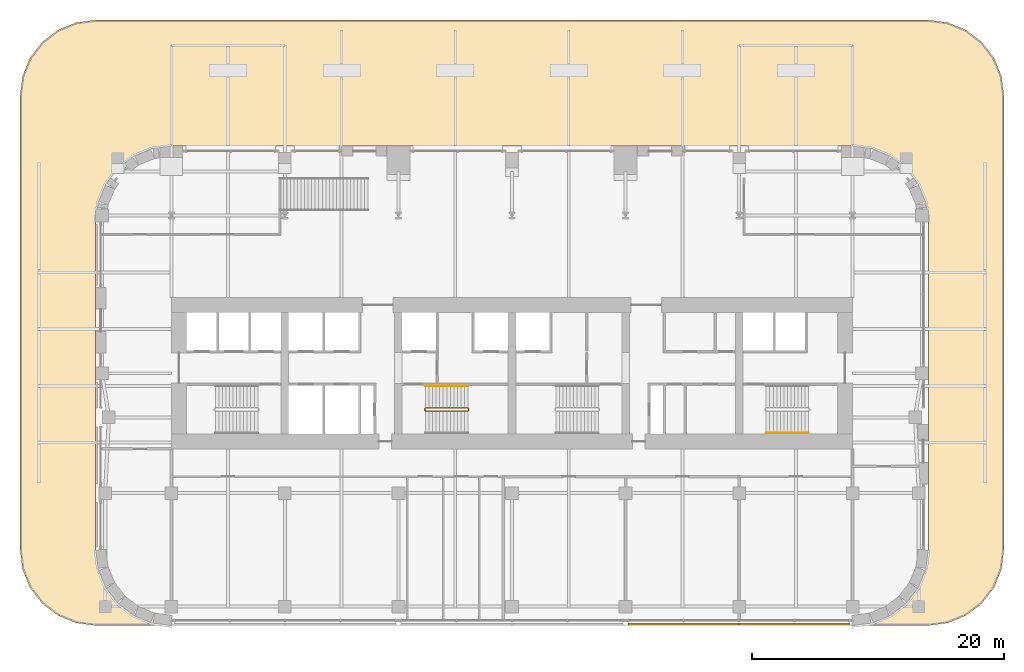
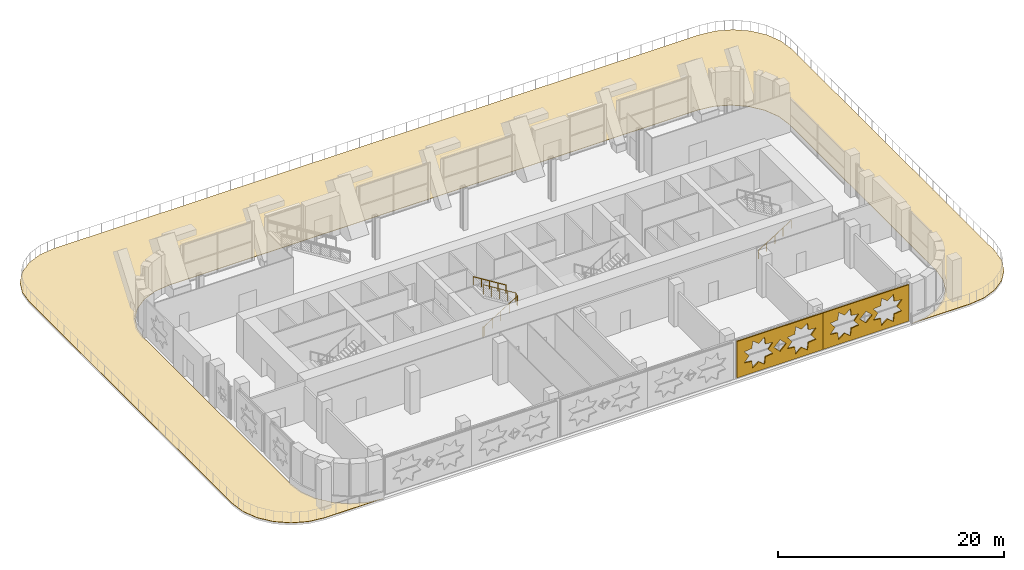
# One storey, part 19 of 26: 3 coverings, 3 railings.
"""IFC4 building model written with IfcOpenShell, lengths in metres."""

from ifc_helpers import new_model, si_unit, direction, frame, origin, origin_2d, place, context, subcontext, project, spatial, polyline, circle, outline, extrude, material, layer, layer_set, type_object, element, save


model = new_model("IFC4")

# Units and contexts
model_context = context("Model", 3, precision=1e-05, world=origin(), true_north=direction((0.0, 1.0)))
body_context = subcontext(model_context, "Body", "Model", "MODEL_VIEW")
ifc_project = project(units=[si_unit("LENGTHUNIT", "METRE"), si_unit("AREAUNIT", "SQUARE_METRE"), si_unit("VOLUMEUNIT", "CUBIC_METRE"), si_unit("PLANEANGLEUNIT", "RADIAN"), si_unit("MASSUNIT", "GRAM", prefix="KILO")], contexts=[model_context])

# Site, building, storey
site_placement = place(None, origin())
site = spatial("IfcSite", under=ifc_project, at=site_placement, CompositionType="ELEMENT")
building_placement = place(site_placement, origin())
building = spatial("IfcBuilding", under=site, at=building_placement, Name="Zellij Exchange Tower", CompositionType="ELEMENT")
storey_placement = place(building_placement, frame((0.0, 0.0, 39.0)))
storey = spatial("IfcBuildingStorey", under=building, at=storey_placement, Name="L06", CompositionType="ELEMENT", Elevation=39.0)

# Railings
ifc_material_1 = material(Name="Stainless steel", Category="steel")
railing_type_1 = type_object("IfcRailingType", Name="CORE-RG stair guard", PredefinedType="GUARDRAIL", material=ifc_material_1)
railing_1_placement = place(storey_placement, frame((-6.89990234375, -10.949951171875, 0.0)))
element("IfcRailing", 1, at=railing_1_placement, inside=storey, type_object=railing_type_1, Name="ST2 stair guard L06", PredefinedType="GUARDRAIL", context=body_context, shape_type="SweptSolid", body=[
    extrude(circle(Radius=0.02392578125, at=origin_2d()), frame((0.0, 0.0, 1.076171875), z_axis=(0.0, 1.0, 0.0), x_axis=(-1.0, 0.0, 0.0)), (0.0, 0.0, 1.0), 0.14990234375),
    extrude(circle(Radius=0.02392578125, at=origin_2d()), frame((0.0, 0.14990234375, 1.076171875), z_axis=(0.185068141132, -0.742994154839, 0.643202510111), x_axis=(0.970351222016, 0.241699205484, 0.0)), (0.0, 0.0, 1.0), 0.26904296875),
    extrude(circle(Radius=0.02392578125, at=origin_2d()), frame((0.0498046875, -0.050048828125, 1.2490234375), z_axis=(0.850623216509, 0.0, 0.525775754039), x_axis=(0.0, 1.0, 0.0)), (0.0, 0.0, 1.0), 3.9501953125),
    extrude(circle(Radius=0.02392578125, at=origin_2d()), frame((3.409912109375, -0.050048828125, 3.326171875), z_axis=(0.707106781187, 0.707106781187, 0.0), x_axis=(-0.707106781187, 0.707106781187, 0.0)), (0.0, 0.0, 1.0), 0.07080078125),
    extrude(circle(Radius=0.02392578125, at=origin_2d()), frame((3.4599609375, 0.0, 3.326171875), z_axis=(0.0, 1.0, 0.0), x_axis=(-1.0, 0.0, 0.0)), (0.0, 0.0, 1.0), 0.14990234375),
    extrude(circle(Radius=0.02392578125, at=origin_2d()), frame((3.4599609375, 0.14990234375, 3.326171875), z_axis=(-0.267629722418, 0.267629722418, 0.925607186314), x_axis=(-0.707106781187, -0.707106781187, 0.0)), (0.0, 0.0, 1.0), 0.18701171875),
    extrude(circle(Radius=0.02392578125, at=origin_2d()), frame((3.409912109375, 0.199951171875, 3.4990234375), z_axis=(-0.850623216509, 0.0, 0.525775754039), x_axis=(0.0, -1.0, 0.0)), (0.0, 0.0, 1.0), 3.9501953125),
    extrude(circle(Radius=0.02099609375, at=origin_2d()), origin(), (0.0, 0.0, 1.0), 1.052001953125),
    extrude(circle(Radius=0.02099609375, at=origin_2d()), frame((0.0, 0.14990234375, 0.0)), (0.0, 0.0, 1.0), 1.052001953125),
    extrude(circle(Radius=0.02099609375, at=origin_2d()), frame((0.0498046875, -0.050048828125, 0.173095703125)), (0.0, 0.0, 1.0), 1.052001953125),
    extrude(circle(Radius=0.02099609375, at=origin_2d()), frame((0.889892578125, -0.050048828125, 0.6923828125)), (0.0, 0.0, 1.0), 1.052001953125),
    extrude(circle(Radius=0.02099609375, at=origin_2d()), frame((1.72998046875, -0.050048828125, 1.21142578125)), (0.0, 0.0, 1.0), 1.052001953125),
    extrude(circle(Radius=0.02099609375, at=origin_2d()), frame((2.56982421875, -0.050048828125, 1.730712890625)), (0.0, 0.0, 1.0), 1.052001953125),
    extrude(circle(Radius=0.02099609375, at=origin_2d()), frame((3.409912109375, -0.050048828125, 2.25)), (0.0, 0.0, 1.0), 1.052001953125),
    extrude(circle(Radius=0.02099609375, at=origin_2d()), frame((3.4599609375, 0.0, 2.25)), (0.0, 0.0, 1.0), 1.052001953125),
    extrude(circle(Radius=0.02099609375, at=origin_2d()), frame((3.4599609375, 0.14990234375, 2.25)), (0.0, 0.0, 1.0), 1.052001953125),
    extrude(circle(Radius=0.02099609375, at=origin_2d()), frame((3.409912109375, 0.199951171875, 2.423095703125)), (0.0, 0.0, 1.0), 1.052001953125),
    extrude(circle(Radius=0.02099609375, at=origin_2d()), frame((2.56982421875, 0.199951171875, 2.9423828125)), (0.0, 0.0, 1.0), 1.052001953125),
    extrude(circle(Radius=0.02099609375, at=origin_2d()), frame((1.72998046875, 0.199951171875, 3.46142578125)), (0.0, 0.0, 1.0), 1.052001953125),
    extrude(circle(Radius=0.02099609375, at=origin_2d()), frame((0.889892578125, 0.199951171875, 3.980712890625)), (0.0, 0.0, 1.0), 1.052001953125),
    extrude(circle(Radius=0.02099609375, at=origin_2d()), frame((0.0498046875, 0.199951171875, 4.5)), (0.0, 0.0, 1.0), 1.052001953125),
])
railing_type_2 = type_object("IfcRailingType", Name="CORE-RH stair handrail", PredefinedType="HANDRAIL", material=ifc_material_1)
railing_2_placement = place(storey_placement, frame((-3.489990234375, -9.0, 2.423095703125)))
element("IfcRailing", 2, at=railing_2_placement, inside=storey, type_object=railing_type_2, Name="ST2 stair handrail L06", PredefinedType="HANDRAIL", context=body_context, shape_type="SweptSolid", body=[
    extrude(circle(Radius=0.02392578125, at=origin_2d()), frame((0.0, 0.0, 0.8759765625), z_axis=(-0.850623216509, 0.0, 0.525775754039), x_axis=(0.0, -1.0, 0.0)), (0.0, 0.0, 1.0), 3.9501953125),
    extrude(circle(Radius=0.02099609375, at=origin_2d()), origin(), (0.0, 0.0, 1.0), 0.851806640625),
    extrude(circle(Radius=0.02099609375, at=origin_2d()), frame((-0.840087890625, 0.0, 0.519287109375)), (0.0, 0.0, 1.0), 0.851806640625),
    extrude(circle(Radius=0.02099609375, at=origin_2d()), frame((-1.68017578125, 0.0, 1.03857421875)), (0.0, 0.0, 1.0), 0.851806640625),
    extrude(circle(Radius=0.02099609375, at=origin_2d()), frame((-2.52001953125, 0.0, 1.5576171875)), (0.0, 0.0, 1.0), 0.851806640625),
    extrude(circle(Radius=0.02099609375, at=origin_2d()), frame((-3.360107421875, 0.0, 2.076904296875)), (0.0, 0.0, 1.0), 0.851806640625),
])
railing_3_placement = place(storey_placement, frame((20.14990234375, -12.75, 0.173095703125)))
element("IfcRailing", 3, at=railing_3_placement, inside=storey, type_object=railing_type_2, Name="ST4 stair handrail L06", PredefinedType="HANDRAIL", context=body_context, shape_type="SweptSolid", body=[
    extrude(circle(Radius=0.02392578125, at=origin_2d()), frame((0.0, 0.0, 0.8759765625), z_axis=(0.850623216509, 0.0, 0.525775754039), x_axis=(0.0, 1.0, 0.0)), (0.0, 0.0, 1.0), 3.9501953125),
    extrude(circle(Radius=0.02099609375, at=origin_2d()), origin(), (0.0, 0.0, 1.0), 0.851806640625),
    extrude(circle(Radius=0.02099609375, at=origin_2d()), frame((0.840087890625, 0.0, 0.519287109375)), (0.0, 0.0, 1.0), 0.851806640625),
    extrude(circle(Radius=0.02099609375, at=origin_2d()), frame((1.68017578125, 0.0, 1.03857421875)), (0.0, 0.0, 1.0), 0.851806640625),
    extrude(circle(Radius=0.02099609375, at=origin_2d()), frame((2.52001953125, 0.0, 1.5576171875)), (0.0, 0.0, 1.0), 0.851806640625),
    extrude(circle(Radius=0.02099609375, at=origin_2d()), frame((3.360107421875, 0.0, 2.076904296875)), (0.0, 0.0, 1.0), 0.851806640625),
])

# Coverings
ifc_material_2 = material(Name="Limestone paving", Category="masonry")
ifc_layer_1 = layer(ifc_material_2, 0.0400390625)
ifc_layer_set_1 = layer_set([ifc_layer_1], Name="Limestone paving")
covering_type_1 = type_object("IfcCoveringType", Name="ENV-PV2 Terrace paving 40", PredefinedType="FLOORING", material=ifc_layer_set_1)
covering_placement = place(storey_placement, frame((0.0, 0.0, -0.0400390625)))
element("IfcCovering", 4, at=covering_placement, inside=storey, type_object=covering_type_1, Name="Terrace paving", PredefinedType="FLOORING", context=body_context, shape_type="SweptSolid", body=[
    extrude(outline(polyline([(-31.24267578125, -26.24267578125), (-32.1962890625, -25.0), (-32.795654296875, -23.552978515625), (-33.0, -22.0), (-33.0, 4.0), (-32.795654296875, 5.552978515625), (-32.1962890625, 7.0), (-31.24267578125, 8.24267578125), (-30.0, 9.1962890625), (-28.552978515625, 9.795654296875), (-27.0, 10.0), (27.0, 10.0), (28.552978515625, 9.795654296875), (30.0, 9.1962890625), (31.24267578125, 8.24267578125), (32.1962890625, 7.0), (32.795654296875, 5.552978515625), (33.0, 4.0), (33.0, -22.0), (32.795654296875, -23.552978515625), (32.1962890625, -25.0), (31.24267578125, -26.24267578125), (30.0, -27.1962890625), (28.552978515625, -27.795654296875), (27.0, -28.0), (33.0, -28.0), (34.552978515625, -27.795654296875), (36.0, -27.1962890625), (37.24267578125, -26.24267578125), (38.1962890625, -25.0), (38.795654296875, -23.552978515625), (39.0, -22.0), (39.0, 14.0), (38.795654296875, 15.552978515625), (38.1962890625, 17.0), (37.24267578125, 18.24267578125), (36.0, 19.1962890625), (34.552978515625, 19.795654296875), (33.0, 20.0), (-33.0, 20.0), (-34.552978515625, 19.795654296875), (-36.0, 19.1962890625), (-37.24267578125, 18.24267578125), (-38.1962890625, 17.0), (-38.795654296875, 15.552978515625), (-39.0, 14.0), (-39.0, -22.0), (-38.795654296875, -23.552978515625), (-38.1962890625, -25.0), (-37.24267578125, -26.24267578125), (-36.0, -27.1962890625), (-34.552978515625, -27.795654296875), (-33.0, -28.0), (-27.0, -28.0), (-28.552978515625, -27.795654296875), (-30.0, -27.1962890625), (-31.24267578125, -26.24267578125)])), origin(), (0.0, 0.0, 1.0), 0.0400390625),
])
ifc_material_3 = material(Name="Limestone screen", Category="masonry")
ifc_layer_2 = layer(ifc_material_3, 0.1201171875)
ifc_layer_set_2 = layer_set([ifc_layer_2], Name="Limestone screen")
covering_type_2 = type_object("IfcCoveringType", Name="ENV-SC1 Pierced stone screen 120", PredefinedType="USERDEFINED", material=ifc_layer_set_2)
for number, where, z_axis, x_axis, name in (
    (5, (9.199951171875, -27.89990234375, 0.300048828125), (0.0, 0.0, 1.0), (1.0, 0.0, 0.0), "Pierced stone screen"),
    (6, (17.98681640625, -27.89990234375, 0.300048828125), (0.0, 0.0, 1.0), (1.0, 0.0, 0.0), "Pierced stone screen"),
):
    element("IfcCovering", number, at=place(storey_placement, frame(where, z_axis=z_axis, x_axis=x_axis)), inside=storey, type_object=covering_type_2, Name=name, ObjectType="SCREEN", PredefinedType="USERDEFINED", context=body_context, shape_type="SweptSolid", body=[
        extrude(outline(polyline([(0.0, 0.0), (8.786865234375, 0.0), (8.786865234375, 3.949951171875), (0.0, 3.949951171875), (0.0, 0.0)]), holes=[polyline([(3.656494140625, 2.57958984375), (2.889404296875, 2.667724609375), (2.801513671875, 3.434814453125), (2.19677734375, 2.95458984375), (1.592041015625, 3.434814453125), (1.50390625, 2.667724609375), (0.737060546875, 2.57958984375), (1.217041015625, 1.97509765625), (0.737060546875, 1.370361328125), (1.50390625, 1.2822265625), (1.592041015625, 0.515380859375), (2.19677734375, 0.995361328125), (2.801513671875, 0.515380859375), (2.889404296875, 1.2822265625), (3.656494140625, 1.370361328125), (3.17626953125, 1.97509765625), (3.656494140625, 2.57958984375)]), polyline([(8.0498046875, 2.57958984375), (7.28271484375, 2.667724609375), (7.19482421875, 3.434814453125), (6.590087890625, 2.95458984375), (5.985595703125, 3.434814453125), (5.8974609375, 2.667724609375), (5.13037109375, 2.57958984375), (5.610595703125, 1.97509765625), (5.13037109375, 1.370361328125), (5.8974609375, 1.2822265625), (5.985595703125, 0.515380859375), (6.590087890625, 0.995361328125), (7.19482421875, 0.515380859375), (7.28271484375, 1.2822265625), (8.0498046875, 1.370361328125), (7.56982421875, 1.97509765625), (8.0498046875, 2.57958984375)]), polyline([(5.025390625, 1.97509765625), (4.393310546875, 2.60693359375), (3.761474609375, 1.97509765625), (4.393310546875, 1.343017578125), (5.025390625, 1.97509765625)])]), frame((0.0, 0.06005859375, 0.0), z_axis=(0.0, -1.0, 0.0), x_axis=(1.0, 0.0, 0.0)), (0.0, 0.0, 1.0), 0.1201171875),
    ])

save(model, "model.ifc")
